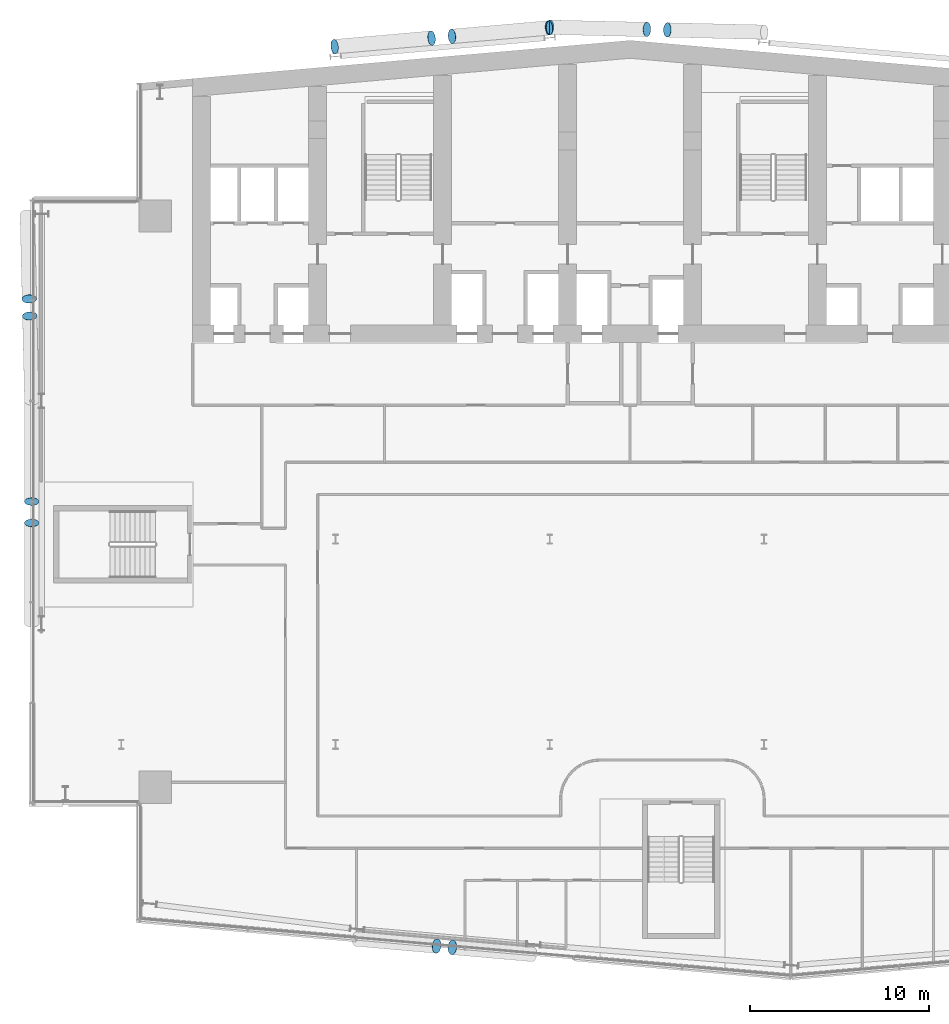
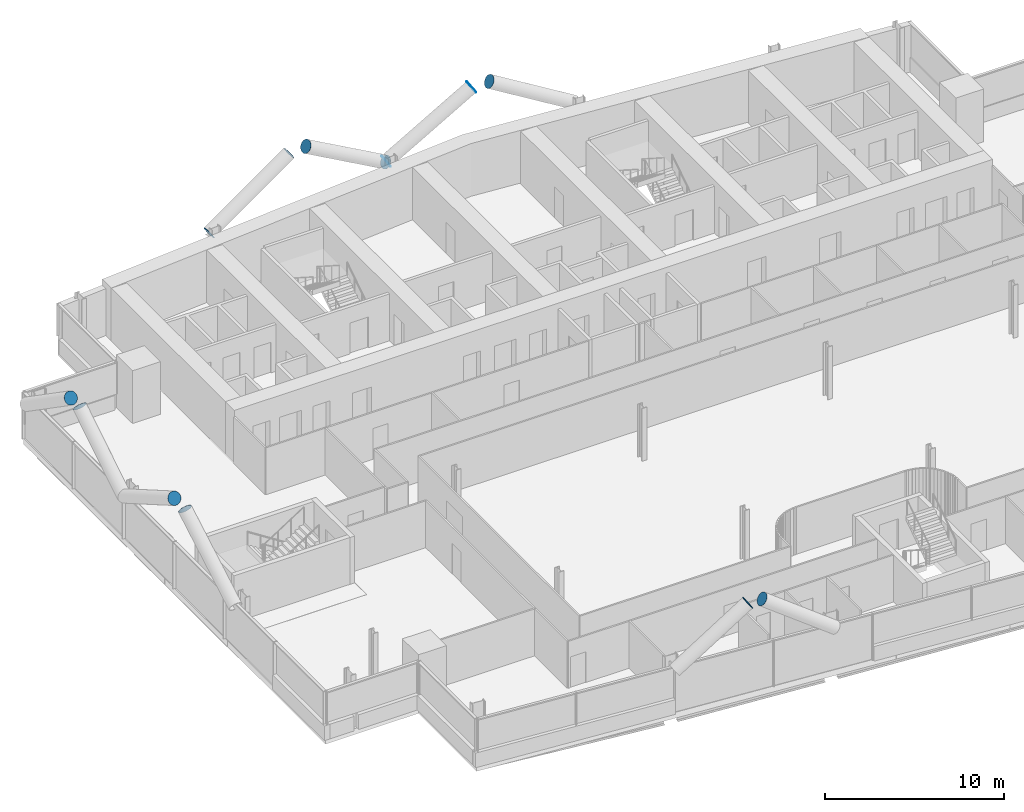
# One storey, part 25 of 30: 13 discrete accessories.
"""IFC4 building model written with IfcOpenShell, lengths in metres."""

import ifcopenshell
import ifcopenshell.guid

model = None  # the IFC model being written
_history = None  # IfcOwnerHistory: only IFC2X3 demands one
_inside = {}  # id of a spatial element -> (the spatial element, [elements in it])
_under = {}  # id of a project, library or spatial element -> (it, [spatial elements below it])
_declared = {}  # id of a project -> (the project, [libraries it declares])
_typed = {}  # id of a type object -> (the type object, [elements of that type])
_made_of = {}  # id of a material, layer set ... -> (it, [elements and type objects made of it])


def new_model(schema):
    """Start an empty IFC model of exactly this schema.

    Asked for "IFC4X3", IfcOpenShell would pick the latest addendum, in which some entities
    have other attributes; the version numbers below select the first issue.
    IFC2X3 requires an IfcOwnerHistory on every rooted entity: one is made here for all.
    """
    global model, _history
    if schema == "IFC4X3":
        model = ifcopenshell.file(schema_version=(4, 3, 0, 0))
    else:
        model = ifcopenshell.file(schema=schema)
    _inside.clear()
    _under.clear()
    _declared.clear()
    _typed.clear()
    _made_of.clear()
    _history = None
    if model.schema == "IFC2X3":
        org = make("IfcOrganization", Name="unknown")
        user = make(
            "IfcPersonAndOrganization",
            ThePerson=make("IfcPerson", FamilyName="unknown"),
            TheOrganization=org,
        )
        app = make(
            "IfcApplication",
            ApplicationDeveloper=org,
            Version="unknown",
            ApplicationFullName="unknown",
            ApplicationIdentifier="unknown",
        )
        _history = make(
            "IfcOwnerHistory",
            OwningUser=user,
            OwningApplication=app,
            ChangeAction="ADDED",
            CreationDate=0,
        )
    return model


def make(cls, **values):
    """One entity of the class cls with the attributes given. An attribute that is None is left unset."""
    return model.create_entity(
        cls, **{name: value for name, value in values.items() if value is not None}
    )


def rooted(cls, **values):
    """An entity with a GlobalId (a new one), such as an element, a storey or a relation."""
    return make(cls, GlobalId=ifcopenshell.guid.new(), OwnerHistory=_history, **values)


def si_unit(unit_type, name, prefix=None):
    """IfcSIUnit, for example si_unit("LENGTHUNIT", "METRE", prefix="MILLI")."""
    return make("IfcSIUnit", UnitType=unit_type, Prefix=prefix, Name=name)


def assignment(units):
    """IfcUnitAssignment: the units of a project."""
    return None if units is None else make("IfcUnitAssignment", Units=units)


def point(xyz):
    """IfcCartesianPoint."""
    return None if xyz is None else make("IfcCartesianPoint", Coordinates=xyz)


def direction(xyz):
    """IfcDirection."""
    return None if xyz is None else make("IfcDirection", DirectionRatios=xyz)


def frame(location, z_axis=None, x_axis=None):
    """IfcAxis2Placement3D, a coordinate frame: its origin and axes. An axis left out is left unset."""
    return make(
        "IfcAxis2Placement3D",
        Location=point(location),
        Axis=direction(z_axis),
        RefDirection=direction(x_axis),
    )


def frame_2d(location, x_axis=None):
    """IfcAxis2Placement2D, a coordinate frame in the plane: its origin and x axis."""
    return make(
        "IfcAxis2Placement2D", Location=point(location), RefDirection=direction(x_axis)
    )


def origin():
    """The frame at (0, 0, 0) with its axes left unset."""
    return frame((0.0, 0.0, 0.0))


def origin_2d():
    """The frame at (0, 0) in the plane with its x axis left unset."""
    return frame_2d((0.0, 0.0))


def place(relative_to, where):
    """IfcLocalPlacement: puts the frame where relative to a parent placement (None: the world)."""
    return make(
        "IfcLocalPlacement", PlacementRelTo=relative_to, RelativePlacement=where
    )


def context(
    kind, dimensions, precision=None, world=None, true_north=None, identifier=None
):
    """IfcGeometricRepresentationContext, for example the 3D "Model" context."""
    return make(
        "IfcGeometricRepresentationContext",
        ContextIdentifier=identifier,
        ContextType=kind,
        CoordinateSpaceDimension=dimensions,
        Precision=precision,
        WorldCoordinateSystem=world,
        TrueNorth=true_north,
    )


def subcontext(parent, identifier, kind, view, scale=None):
    """IfcGeometricRepresentationSubContext, for example "Body" below "Model"."""
    return make(
        "IfcGeometricRepresentationSubContext",
        ContextIdentifier=identifier,
        ContextType=kind,
        ParentContext=parent,
        TargetScale=scale,
        TargetView=view,
    )


def project(units=None, contexts=None):
    """IfcProject with its units and contexts."""
    return rooted(
        "IfcProject",
        Name="project",
        RepresentationContexts=contexts,
        UnitsInContext=assignment(units),
    )


def spatial(cls, under=None, at=None, **own):
    """A site, building, storey or space (cls), placed at a placement, below another one or the project."""
    s = rooted(cls, ObjectPlacement=at, **own)
    if under is not None:
        _under.setdefault(under.id(), (under, []))[1].append(s)
    return s


def profile(cls, at=None, kind="AREA", **sizes):
    """A parametric profile (cls). Its sizes go by their IFC names, for example OverallWidth=200.0."""
    return make(cls, ProfileType=kind, Position=at, **sizes)


def circle(**sizes):
    """IfcCircleProfileDef."""
    return profile("IfcCircleProfileDef", **sizes)


def extrude(swept, where, along, depth):
    """IfcExtrudedAreaSolid: the profile swept, set in the frame where, extruded along a direction by depth."""
    return make(
        "IfcExtrudedAreaSolid",
        SweptArea=swept,
        Position=where,
        ExtrudedDirection=direction(along),
        Depth=depth,
    )


def shape(context_of_items, identifier, shape_type, items):
    """IfcShapeRepresentation: the items that make up one representation, for example the "Body"."""
    return make(
        "IfcShapeRepresentation",
        ContextOfItems=context_of_items,
        RepresentationIdentifier=identifier,
        RepresentationType=shape_type,
        Items=items,
    )


def material(Name=None, Category=None):
    """IfcMaterial."""
    return make("IfcMaterial", Name=Name, Category=Category)


def material_profile(
    of_material, cross_section, Name=None, Category=None, Priority=None
):
    """IfcMaterialProfile: a cross section and its material."""
    return make(
        "IfcMaterialProfile",
        Name=Name,
        Material=of_material,
        Profile=cross_section,
        Priority=Priority,
        Category=Category,
    )


def profile_set(profiles, Name=None, composite=None):
    """IfcMaterialProfileSet."""
    return make(
        "IfcMaterialProfileSet",
        Name=Name,
        MaterialProfiles=profiles,
        CompositeProfile=composite,
    )


def made_of(thing, what):
    """Note that an element or type object is made of a material, layer set ...; save() writes the relation."""
    if what is not None:
        _made_of.setdefault(what.id(), (what, []))[1].append(thing)
    return thing


def type_object(cls, material=None, **own):
    """A type object (cls), such as IfcWallType, which elements share."""
    return made_of(rooted(cls, **own), material)


def element(
    cls,
    number,
    at=None,
    inside=None,
    cuts=None,
    type_object=None,
    material=None,
    context=None,
    identifier="Body",
    shape_type=None,
    held_by="IfcProductDefinitionShape",
    body=None,
    shapes=None,
    **own,
):
    """One element of the class cls, such as IfcWall. Its Tag is "e" and its number.

    at: its placement. inside: the storey or other place that contains it. cuts: it is an
    opening in that element (IfcRelVoidsElement). A single representation is given by context,
    identifier, shape_type and body (its items); several are given by shapes. held_by: the class
    of the entity that holds the representations. save() writes the other relations.
    """
    e = rooted(cls, Tag="e%d" % number, ObjectPlacement=at, **own)
    if body is not None:
        shapes = [shape(context, identifier, shape_type, body)]
    if shapes is not None:
        e.Representation = make(held_by, Representations=shapes)
    if inside is not None:
        _inside.setdefault(inside.id(), (inside, []))[1].append(e)
    if cuts is not None:
        rooted(
            "IfcRelVoidsElement", RelatingBuildingElement=cuts, RelatedOpeningElement=e
        )
    if type_object is not None:
        _typed.setdefault(type_object.id(), (type_object, []))[1].append(e)
    return made_of(e, material)


def aggregate(whole, parts):
    """IfcRelAggregates: a whole, such as a stair, and the parts it consists of."""
    return rooted("IfcRelAggregates", RelatingObject=whole, RelatedObjects=parts)


def save(model, path):
    """Write the relations noted so far, then the file.

    IfcRelAggregates (storeys below a building ...), IfcRelContainedInSpatialStructure (elements
    in a storey), IfcRelDefinesByType, IfcRelAssociatesMaterial and IfcRelDeclares: one each for
    every whole, place, type object, material and project.
    """
    for whole, parts in _under.values():
        aggregate(whole, parts)
    for where, things in _inside.values():
        rooted(
            "IfcRelContainedInSpatialStructure",
            RelatedElements=things,
            RelatingStructure=where,
        )
    for kind, things in _typed.values():
        rooted("IfcRelDefinesByType", RelatedObjects=things, RelatingType=kind)
    for what, things in _made_of.values():
        rooted("IfcRelAssociatesMaterial", RelatedObjects=things, RelatingMaterial=what)
    for by, libraries in _declared.values():
        rooted("IfcRelDeclares", RelatingContext=by, RelatedDefinitions=libraries)
    model.write(path)


model = new_model("IFC4")

# Units and contexts
model_context = context("Model", 3, precision=1e-05, world=origin(), true_north=direction((0.0, 1.0)))
body_context = subcontext(model_context, "Body", "Model", "MODEL_VIEW")
ifc_project = project(units=[si_unit("LENGTHUNIT", "METRE"), si_unit("AREAUNIT", "SQUARE_METRE"), si_unit("VOLUMEUNIT", "CUBIC_METRE"), si_unit("PLANEANGLEUNIT", "RADIAN"), si_unit("MASSUNIT", "GRAM", prefix="KILO")], contexts=[model_context])

# Site, building, storey
site_placement = place(None, origin())
site = spatial("IfcSite", under=ifc_project, at=site_placement, CompositionType="ELEMENT")
building_placement = place(site_placement, origin())
building = spatial("IfcBuilding", under=site, at=building_placement, Name="Wharfspan Tower", CompositionType="ELEMENT")
storey_placement = place(building_placement, frame((0.0, 0.0, 100.300049)))
storey = spatial("IfcBuildingStorey", under=building, at=storey_placement, Name="L22", CompositionType="ELEMENT", Elevation=100.300049)

# Discrete accessories
ifc_material = material(Name="Steel S460NH", Category="steel")
ifc_material_profile = material_profile(ifc_material, circle(Radius=0.406494, at=origin_2d()))
ifc_profile_set = profile_set([ifc_material_profile], Name="Steel S460NH")
discrete_accessory_type = type_object("IfcDiscreteAccessoryType", Name="End plate CHS 813x40", PredefinedType="BRACKET", material=ifc_profile_set)
for number, where, z_axis, x_axis, name in (
    (1, (29.654785, 0.202881, 6.173096), (0.806559, -0.073324, 0.586588), (0.090536, 0.99589, 0.0), "End plate CHS 813x40"),
    (2, (30.551514, 0.124512, 6.173096), (-0.806559, 0.073324, 0.586588), (-0.090536, -0.99589, 0.0), "End plate CHS 813x40"),
    (3, (6.985107, 25.105957, 6.149902), (0.0, -0.857493, 0.514496), (1.0, 0.0, 0.0), "End plate CHS 813x40"),
    (4, (6.985107, 23.894043, 6.149902), (0.0, 0.857493, 0.514496), (-1.0, 0.0, 0.0), "End plate CHS 813x40"),
):
    element("IfcDiscreteAccessory", number, at=place(storey_placement, frame(where, z_axis=z_axis, x_axis=x_axis)), inside=storey, type_object=discrete_accessory_type, Name=name, PredefinedType="BRACKET", context=body_context, shape_type="SweptSolid", body=[
        extrude(circle(Radius=0.406494, at=origin_2d()), origin(), (0.0, 0.0, 1.0), 0.01001),
    ])
discrete_accessory_1_placement = place(storey_placement, frame((6.8479, 36.455078, 6.166992), z_axis=(0.024853, -0.820145, 0.571616), x_axis=(0.999542, 0.03029, 1e-06)))
element("IfcDiscreteAccessory", 5, at=discrete_accessory_1_placement, inside=storey, type_object=discrete_accessory_type, Name="End plate CHS 813x40", PredefinedType="BRACKET", context=body_context, shape_type="SweptSolid", body=[
    extrude(circle(Radius=0.406494, at=origin_2d()), origin(), (0.0, 0.0, 1.0), 0.009766),
])
for number, where, z_axis, x_axis, name in (
    (6, (6.871094, 35.486084, 6.166992), (-0.024354, 0.828038, 0.560143), (-0.999568, -0.029399, 0.0), "End plate CHS 813x40"),
    (7, (36.004395, 51.666016, 2.894775), (0.857236, -0.024492, 0.514341), (0.028558, 0.999591, 2e-06), "End plate CHS 813x40"),
    (8, (41.435059, 51.541504, 6.15332), (0.857236, -0.024492, 0.514341), (0.028558, 0.999591, 2e-06), "End plate CHS 813x40"),
    (9, (42.590332, 51.514893, 6.15332), (-0.857236, 0.024492, 0.514341), (-0.028558, -0.999591, 2e-06), "End plate CHS 813x40"),
):
    element("IfcDiscreteAccessory", number, at=place(storey_placement, frame(where, z_axis=z_axis, x_axis=x_axis)), inside=storey, type_object=discrete_accessory_type, Name=name, PredefinedType="BRACKET", context=body_context, shape_type="SweptSolid", body=[
        extrude(circle(Radius=0.406494, at=origin_2d()), origin(), (0.0, 0.0, 1.0), 0.01001),
    ])
discrete_accessory_2_placement = place(storey_placement, frame((23.942871, 50.580322, 2.894775), z_axis=(0.859828, 0.095536, 0.501566), x_axis=(-0.11043, 0.99388, -1e-06)))
element("IfcDiscreteAccessory", 10, at=discrete_accessory_2_placement, inside=storey, type_object=discrete_accessory_type, Name="End plate CHS 813x40", PredefinedType="BRACKET", context=body_context, shape_type="SweptSolid", body=[
    extrude(circle(Radius=0.406494, at=origin_2d()), origin(), (0.0, 0.0, 1.0), 0.010254),
])
for number, where, z_axis, x_axis, name in (
    (11, (29.373291, 51.05542, 6.153076), (0.853405, 0.097532, 0.512043), (-0.113547, 0.993531, 1e-06), "End plate CHS 813x40"),
    (12, (35.960205, 51.631836, 2.894775), (-0.855186, -0.073302, 0.513112), (0.085402, -0.996345, 1e-06), "End plate CHS 813x40"),
    (13, (30.529785, 51.156738, 6.153076), (-0.855186, -0.073302, 0.513112), (0.085402, -0.996345, 1e-06), "End plate CHS 813x40"),
):
    element("IfcDiscreteAccessory", number, at=place(storey_placement, frame(where, z_axis=z_axis, x_axis=x_axis)), inside=storey, type_object=discrete_accessory_type, Name=name, PredefinedType="BRACKET", context=body_context, shape_type="SweptSolid", body=[
        extrude(circle(Radius=0.406494, at=origin_2d()), origin(), (0.0, 0.0, 1.0), 0.01001),
    ])

save(model, "model.ifc")
